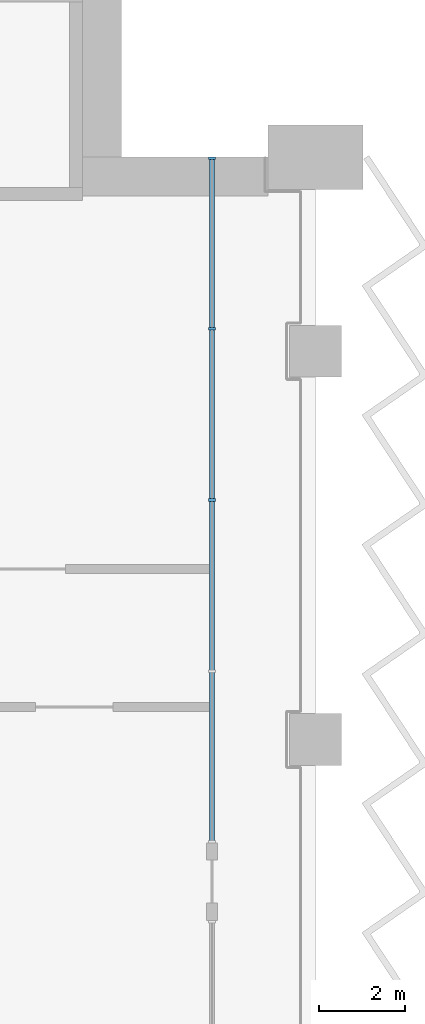
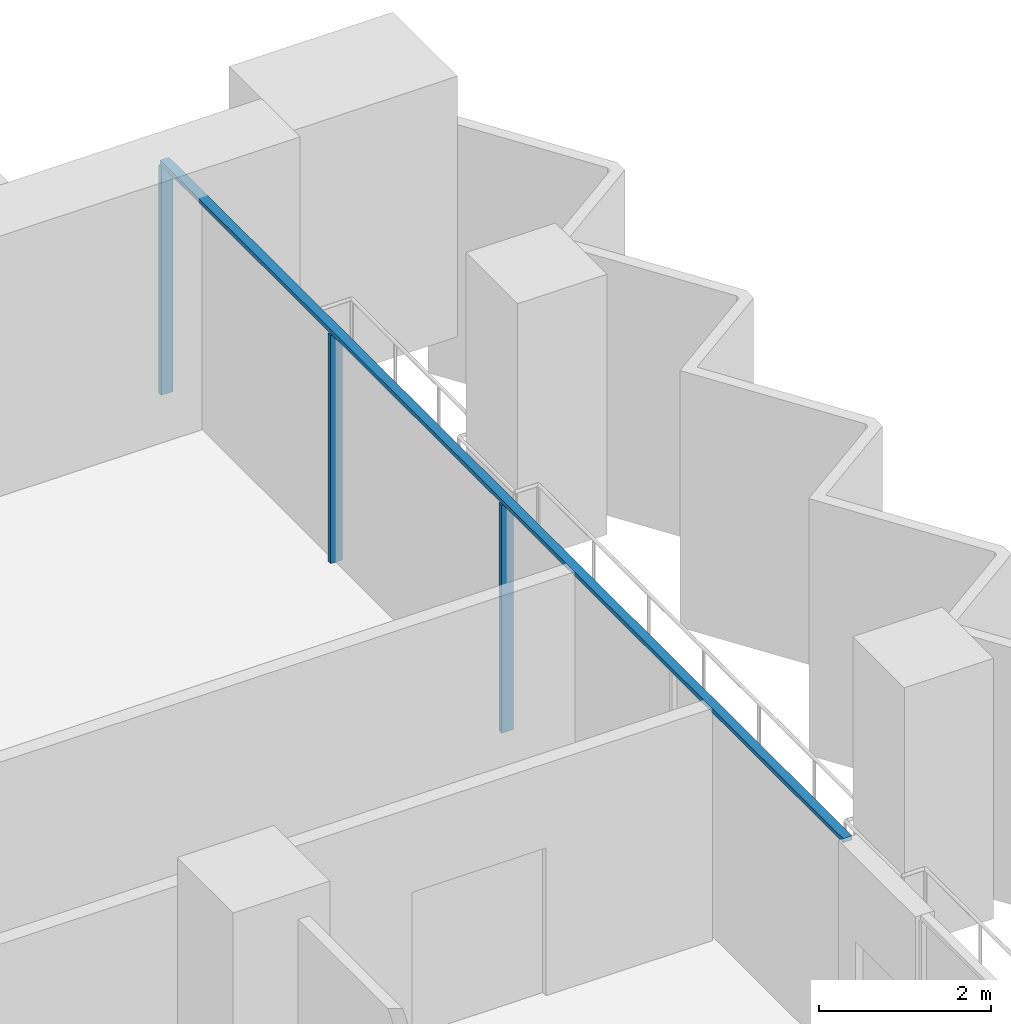
# One storey, part 6 of 22: 4 members, 1 element without a shape of its own.
"""IFC4 building model written with IfcOpenShell, lengths in metres."""

import ifcopenshell
import ifcopenshell.guid

model = None  # the IFC model being written
_history = None  # IfcOwnerHistory: only IFC2X3 demands one
_inside = {}  # id of a spatial element -> (the spatial element, [elements in it])
_under = {}  # id of a project, library or spatial element -> (it, [spatial elements below it])
_declared = {}  # id of a project -> (the project, [libraries it declares])
_typed = {}  # id of a type object -> (the type object, [elements of that type])
_made_of = {}  # id of a material, layer set ... -> (it, [elements and type objects made of it])


def new_model(schema):
    """Start an empty IFC model of exactly this schema.

    Asked for "IFC4X3", IfcOpenShell would pick the latest addendum, in which some entities
    have other attributes; the version numbers below select the first issue.
    IFC2X3 requires an IfcOwnerHistory on every rooted entity: one is made here for all.
    """
    global model, _history
    if schema == "IFC4X3":
        model = ifcopenshell.file(schema_version=(4, 3, 0, 0))
    else:
        model = ifcopenshell.file(schema=schema)
    _inside.clear()
    _under.clear()
    _declared.clear()
    _typed.clear()
    _made_of.clear()
    _history = None
    if model.schema == "IFC2X3":
        org = make("IfcOrganization", Name="unknown")
        user = make(
            "IfcPersonAndOrganization",
            ThePerson=make("IfcPerson", FamilyName="unknown"),
            TheOrganization=org,
        )
        app = make(
            "IfcApplication",
            ApplicationDeveloper=org,
            Version="unknown",
            ApplicationFullName="unknown",
            ApplicationIdentifier="unknown",
        )
        _history = make(
            "IfcOwnerHistory",
            OwningUser=user,
            OwningApplication=app,
            ChangeAction="ADDED",
            CreationDate=0,
        )
    return model


def make(cls, **values):
    """One entity of the class cls with the attributes given. An attribute that is None is left unset."""
    return model.create_entity(
        cls, **{name: value for name, value in values.items() if value is not None}
    )


def rooted(cls, **values):
    """An entity with a GlobalId (a new one), such as an element, a storey or a relation."""
    return make(cls, GlobalId=ifcopenshell.guid.new(), OwnerHistory=_history, **values)


def si_unit(unit_type, name, prefix=None):
    """IfcSIUnit, for example si_unit("LENGTHUNIT", "METRE", prefix="MILLI")."""
    return make("IfcSIUnit", UnitType=unit_type, Prefix=prefix, Name=name)


def assignment(units):
    """IfcUnitAssignment: the units of a project."""
    return None if units is None else make("IfcUnitAssignment", Units=units)


def point(xyz):
    """IfcCartesianPoint."""
    return None if xyz is None else make("IfcCartesianPoint", Coordinates=xyz)


def direction(xyz):
    """IfcDirection."""
    return None if xyz is None else make("IfcDirection", DirectionRatios=xyz)


def frame(location, z_axis=None, x_axis=None):
    """IfcAxis2Placement3D, a coordinate frame: its origin and axes. An axis left out is left unset."""
    return make(
        "IfcAxis2Placement3D",
        Location=point(location),
        Axis=direction(z_axis),
        RefDirection=direction(x_axis),
    )


def frame_2d(location, x_axis=None):
    """IfcAxis2Placement2D, a coordinate frame in the plane: its origin and x axis."""
    return make(
        "IfcAxis2Placement2D", Location=point(location), RefDirection=direction(x_axis)
    )


def origin():
    """The frame at (0, 0, 0) with its axes left unset."""
    return frame((0.0, 0.0, 0.0))


def origin_2d():
    """The frame at (0, 0) in the plane with its x axis left unset."""
    return frame_2d((0.0, 0.0))


def place(relative_to, where):
    """IfcLocalPlacement: puts the frame where relative to a parent placement (None: the world)."""
    return make(
        "IfcLocalPlacement", PlacementRelTo=relative_to, RelativePlacement=where
    )


def context(
    kind, dimensions, precision=None, world=None, true_north=None, identifier=None
):
    """IfcGeometricRepresentationContext, for example the 3D "Model" context."""
    return make(
        "IfcGeometricRepresentationContext",
        ContextIdentifier=identifier,
        ContextType=kind,
        CoordinateSpaceDimension=dimensions,
        Precision=precision,
        WorldCoordinateSystem=world,
        TrueNorth=true_north,
    )


def subcontext(parent, identifier, kind, view, scale=None):
    """IfcGeometricRepresentationSubContext, for example "Body" below "Model"."""
    return make(
        "IfcGeometricRepresentationSubContext",
        ContextIdentifier=identifier,
        ContextType=kind,
        ParentContext=parent,
        TargetScale=scale,
        TargetView=view,
    )


def project(units=None, contexts=None):
    """IfcProject with its units and contexts."""
    return rooted(
        "IfcProject",
        Name="project",
        RepresentationContexts=contexts,
        UnitsInContext=assignment(units),
    )


def spatial(cls, under=None, at=None, **own):
    """A site, building, storey or space (cls), placed at a placement, below another one or the project."""
    s = rooted(cls, ObjectPlacement=at, **own)
    if under is not None:
        _under.setdefault(under.id(), (under, []))[1].append(s)
    return s


def profile(cls, at=None, kind="AREA", **sizes):
    """A parametric profile (cls). Its sizes go by their IFC names, for example OverallWidth=200.0."""
    return make(cls, ProfileType=kind, Position=at, **sizes)


def rectangle(**sizes):
    """IfcRectangleProfileDef."""
    return profile("IfcRectangleProfileDef", **sizes)


def extrude(swept, where, along, depth):
    """IfcExtrudedAreaSolid: the profile swept, set in the frame where, extruded along a direction by depth."""
    return make(
        "IfcExtrudedAreaSolid",
        SweptArea=swept,
        Position=where,
        ExtrudedDirection=direction(along),
        Depth=depth,
    )


def shape(context_of_items, identifier, shape_type, items):
    """IfcShapeRepresentation: the items that make up one representation, for example the "Body"."""
    return make(
        "IfcShapeRepresentation",
        ContextOfItems=context_of_items,
        RepresentationIdentifier=identifier,
        RepresentationType=shape_type,
        Items=items,
    )


def material(Name=None, Category=None):
    """IfcMaterial."""
    return make("IfcMaterial", Name=Name, Category=Category)


def material_profile(
    of_material, cross_section, Name=None, Category=None, Priority=None
):
    """IfcMaterialProfile: a cross section and its material."""
    return make(
        "IfcMaterialProfile",
        Name=Name,
        Material=of_material,
        Profile=cross_section,
        Priority=Priority,
        Category=Category,
    )


def profile_set(profiles, Name=None, composite=None):
    """IfcMaterialProfileSet."""
    return make(
        "IfcMaterialProfileSet",
        Name=Name,
        MaterialProfiles=profiles,
        CompositeProfile=composite,
    )


def made_of(thing, what):
    """Note that an element or type object is made of a material, layer set ...; save() writes the relation."""
    if what is not None:
        _made_of.setdefault(what.id(), (what, []))[1].append(thing)
    return thing


def type_object(cls, material=None, **own):
    """A type object (cls), such as IfcWallType, which elements share."""
    return made_of(rooted(cls, **own), material)


def element(
    cls,
    number,
    at=None,
    inside=None,
    cuts=None,
    type_object=None,
    material=None,
    context=None,
    identifier="Body",
    shape_type=None,
    held_by="IfcProductDefinitionShape",
    body=None,
    shapes=None,
    **own,
):
    """One element of the class cls, such as IfcWall. Its Tag is "e" and its number.

    at: its placement. inside: the storey or other place that contains it. cuts: it is an
    opening in that element (IfcRelVoidsElement). A single representation is given by context,
    identifier, shape_type and body (its items); several are given by shapes. held_by: the class
    of the entity that holds the representations. save() writes the other relations.
    """
    e = rooted(cls, Tag="e%d" % number, ObjectPlacement=at, **own)
    if body is not None:
        shapes = [shape(context, identifier, shape_type, body)]
    if shapes is not None:
        e.Representation = make(held_by, Representations=shapes)
    if inside is not None:
        _inside.setdefault(inside.id(), (inside, []))[1].append(e)
    if cuts is not None:
        rooted(
            "IfcRelVoidsElement", RelatingBuildingElement=cuts, RelatedOpeningElement=e
        )
    if type_object is not None:
        _typed.setdefault(type_object.id(), (type_object, []))[1].append(e)
    return made_of(e, material)


def aggregate(whole, parts):
    """IfcRelAggregates: a whole, such as a stair, and the parts it consists of."""
    return rooted("IfcRelAggregates", RelatingObject=whole, RelatedObjects=parts)


def save(model, path):
    """Write the relations noted so far, then the file.

    IfcRelAggregates (storeys below a building ...), IfcRelContainedInSpatialStructure (elements
    in a storey), IfcRelDefinesByType, IfcRelAssociatesMaterial and IfcRelDeclares: one each for
    every whole, place, type object, material and project.
    """
    for whole, parts in _under.values():
        aggregate(whole, parts)
    for where, things in _inside.values():
        rooted(
            "IfcRelContainedInSpatialStructure",
            RelatedElements=things,
            RelatingStructure=where,
        )
    for kind, things in _typed.values():
        rooted("IfcRelDefinesByType", RelatedObjects=things, RelatingType=kind)
    for what, things in _made_of.values():
        rooted("IfcRelAssociatesMaterial", RelatedObjects=things, RelatingMaterial=what)
    for by, libraries in _declared.values():
        rooted("IfcRelDeclares", RelatingContext=by, RelatedDefinitions=libraries)
    model.write(path)


model = new_model("IFC4")

# Units and contexts
model_context = context("Model", 3, precision=1e-05, world=origin(), true_north=direction((0.0, 1.0)))
body_context = subcontext(model_context, "Body", "Model", "MODEL_VIEW")
ifc_project = project(units=[si_unit("LENGTHUNIT", "METRE"), si_unit("AREAUNIT", "SQUARE_METRE"), si_unit("VOLUMEUNIT", "CUBIC_METRE"), si_unit("PLANEANGLEUNIT", "RADIAN"), si_unit("MASSUNIT", "GRAM", prefix="KILO")], contexts=[model_context])

# Site, building, storey
site_placement = place(None, origin())
site = spatial("IfcSite", under=ifc_project, at=site_placement, CompositionType="ELEMENT")
building_placement = place(site_placement, origin())
building = spatial("IfcBuilding", under=site, at=building_placement, Name="Hunhe Ridgeline Campus", CompositionType="ELEMENT")
storey_placement = place(building_placement, frame((0.0, 0.0, 84.800048828125)))
storey = spatial("IfcBuildingStorey", under=building, at=storey_placement, Name="L20", CompositionType="ELEMENT", Elevation=84.800048828125)

# Curtain wall, members
ifc_material = material(Name="Aluminium 6063", Category="aluminium")
curtain_wall_type = type_object("IfcCurtainWallType", Name="Curtain wall CW-1", PredefinedType="NOTDEFINED", material=ifc_material)
curtain_wall_placement = place(storey_placement, origin())
curtain_wall = element("IfcCurtainWall", 1, at=curtain_wall_placement, inside=storey, type_object=curtain_wall_type, Name="Curtain wall 16", PredefinedType="NOTDEFINED")
ifc_material_profile_1 = material_profile(ifc_material, rectangle(XDim=0.159912109375, YDim=0.06005859375, at=origin_2d()))
ifc_profile_set_1 = profile_set([ifc_material_profile_1], Name="Aluminium 6063")
member_type_1 = type_object("IfcMemberType", Name="CW-1 aluminium mullion", PredefinedType="MULLION", material=ifc_profile_set_1)
member_1_placement = place(storey_placement, frame((78.59912109375, 86.55029296875, 0.0), z_axis=(0.0, 0.0, 1.0), x_axis=(-1.0, 0.0, 0.0)))
member_1 = element("IfcMember", 2, at=member_1_placement, type_object=member_type_1, Name="CW-1 mullion 3", PredefinedType="MULLION", context=body_context, shape_type="SweptSolid", body=[
    extrude(rectangle(XDim=0.159912109375, YDim=0.06005859375, at=origin_2d()), origin(), (0.0, 0.0, 1.0), 3.239990234375),
])
member_2_placement = place(storey_placement, frame((78.59912109375, 90.525146484375, 0.0), z_axis=(0.0, 0.0, 1.0), x_axis=(-1.0, 0.0, 0.0)))
member_2 = element("IfcMember", 3, at=member_2_placement, type_object=member_type_1, Name="CW-1 mullion 4", PredefinedType="MULLION", context=body_context, shape_type="SweptSolid", body=[
    extrude(rectangle(XDim=0.159912109375, YDim=0.06005859375, at=origin_2d()), origin(), (0.0, 0.0, 1.0), 3.239990234375),
])
member_3_placement = place(storey_placement, frame((78.59912109375, 94.469970703125, 0.0), z_axis=(0.0, 0.0, 1.0), x_axis=(-1.0, 0.0, 0.0)))
member_3 = element("IfcMember", 4, at=member_3_placement, type_object=member_type_1, Name="CW-1 mullion 5", PredefinedType="MULLION", context=body_context, shape_type="SweptSolid", body=[
    extrude(rectangle(XDim=0.159912109375, YDim=0.06005859375, at=origin_2d()), origin(), (0.0, 0.0, 1.0), 3.239990234375),
])
ifc_material_profile_2 = material_profile(ifc_material, rectangle(XDim=0.1201171875, YDim=0.06005859375, at=origin_2d()))
ifc_profile_set_2 = profile_set([ifc_material_profile_2], Name="Aluminium 6063")
member_type_2 = type_object("IfcMemberType", Name="CW-1 aluminium transom", PredefinedType="USERDEFINED", material=ifc_profile_set_2)
member_4_placement = place(storey_placement, frame((78.59912109375, 78.6005859375, 3.27001953125), z_axis=(0.0, 1.0, 0.0), x_axis=(-1.0, 0.0, 0.0)))
member_4 = element("IfcMember", 5, at=member_4_placement, type_object=member_type_2, Name="CW-1 transom 1", ObjectType="TRANSOM", PredefinedType="USERDEFINED", context=body_context, shape_type="SweptSolid", body=[
    extrude(rectangle(XDim=0.1201171875, YDim=0.06005859375, at=origin_2d()), origin(), (0.0, 0.0, 1.0), 15.8994140625),
])
aggregate(curtain_wall, [member_4, member_1, member_2, member_3])

save(model, "model.ifc")
